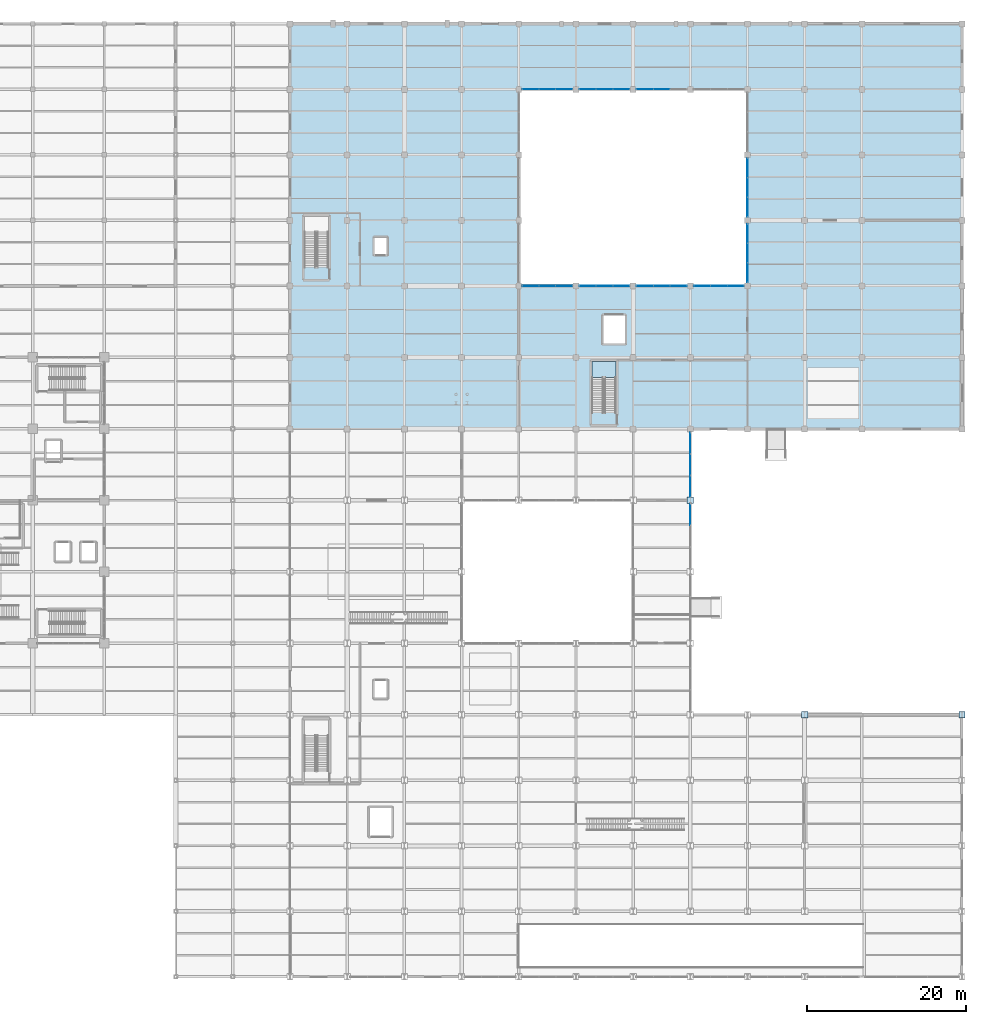
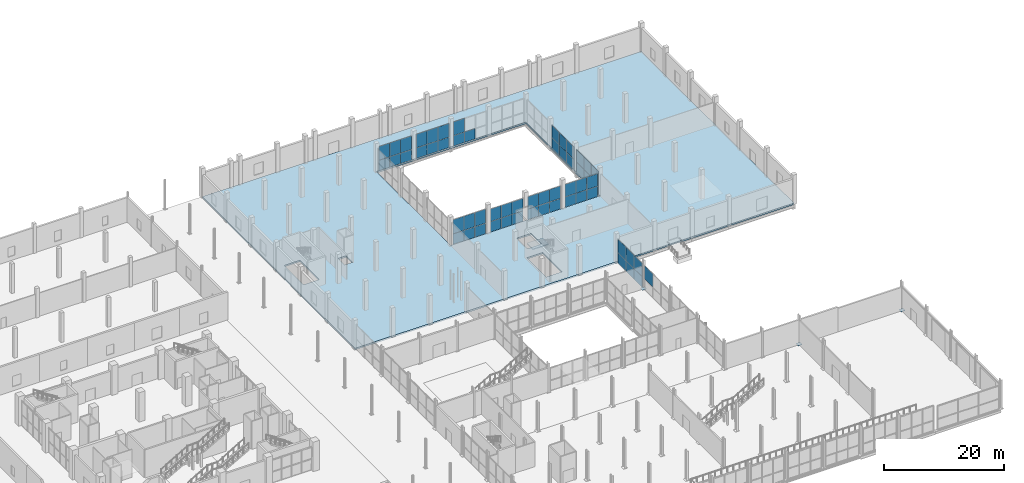
# One storey, part 121 of 144: 61 plates, 2 slabs, 12 elements without a shape of their own.
"""IFC4 building model written with IfcOpenShell, lengths in metres."""

from ifc_helpers import new_model, si_unit, direction, frame, origin, origin_2d, place, context, subcontext, project, spatial, polyline, rectangle, outline, extrude, material, layer, layer_set, type_object, element, aggregate, save


model = new_model("IFC4")

# Units and contexts
model_context = context("Model", 3, precision=1e-05, world=origin(), true_north=direction((0.0, 1.0)))
body_context = subcontext(model_context, "Body", "Model", "MODEL_VIEW")
ifc_project = project(units=[si_unit("LENGTHUNIT", "METRE"), si_unit("AREAUNIT", "SQUARE_METRE"), si_unit("VOLUMEUNIT", "CUBIC_METRE"), si_unit("PLANEANGLEUNIT", "RADIAN"), si_unit("MASSUNIT", "GRAM", prefix="KILO")], contexts=[model_context])

# Site, building, storey
site_placement = place(None, origin())
site = spatial("IfcSite", under=ifc_project, at=site_placement, CompositionType="ELEMENT")
building_placement = place(site_placement, origin())
building = spatial("IfcBuilding", under=site, at=building_placement, Name="Sundgate Opera House", CompositionType="ELEMENT")
storey_placement = place(building_placement, origin())
storey = spatial("IfcBuildingStorey", under=building, at=storey_placement, Name="L00", CompositionType="ELEMENT", Elevation=0.0)

# Curtain wall, plates
ifc_material_1 = material(Name="Anodized aluminium and low-iron glass", Category="aluminium")
ifc_layer_1 = layer(ifc_material_1, 0.159912109375)
ifc_layer_set_1 = layer_set([ifc_layer_1], Name="Anodized aluminium and low-iron glass")
curtain_wall_type = type_object("IfcCurtainWallType", Name="CW-STUDIO-DARK", PredefinedType="NOTDEFINED", material=ifc_layer_set_1)
curtain_wall_1_placement = place(storey_placement, origin())
curtain_wall_1 = element("IfcCurtainWall", 1, at=curtain_wall_1_placement, inside=storey, type_object=curtain_wall_type, Name="L00 Curtain Wall CW080", PredefinedType="NOTDEFINED")
ifc_material_2 = material(Name="Low-iron triple acoustic glazing", Category="glass")
ifc_layer_2 = layer(ifc_material_2, 0.035888671875)
ifc_layer_set_2 = layer_set([ifc_layer_2], Name="Low-iron triple acoustic glazing")
plate_type_1 = type_object("IfcPlateType", Name="CWP-CLEAR-36", PredefinedType="CURTAIN_PANEL", material=ifc_layer_set_2)
plate_1_placement = place(storey_placement, frame((125.699951171875, 87.0, 0.02001953125), z_axis=(0.0, 0.0, 1.0), x_axis=(1.0, 0.0, 0.0)))
plate_1 = element("IfcPlate", 2, at=plate_1_placement, type_object=plate_type_1, Name="CW080 Panel 1", PredefinedType="CURTAIN_PANEL", context=body_context, shape_type="SweptSolid", body=[
    extrude(rectangle(XDim=2.06005859375, YDim=0.035888671875, at=origin_2d()), origin(), (0.0, 0.0, 1.0), 2.110107421875),
])
plate_2_placement = place(storey_placement, frame((125.699951171875, 87.0, 2.169921875), z_axis=(0.0, 0.0, 1.0), x_axis=(1.0, 0.0, 0.0)))
plate_2 = element("IfcPlate", 3, at=plate_2_placement, type_object=plate_type_1, Name="CW080 Panel 2", PredefinedType="CURTAIN_PANEL", context=body_context, shape_type="SweptSolid", body=[
    extrude(rectangle(XDim=2.06005859375, YDim=0.035888671875, at=origin_2d()), origin(), (0.0, 0.0, 1.0), 2.875),
])
plate_3_placement = place(storey_placement, frame((127.800048828125, 87.0, 0.02001953125), z_axis=(0.0, 0.0, 1.0), x_axis=(1.0, 0.0, 0.0)))
plate_3 = element("IfcPlate", 4, at=plate_3_placement, type_object=plate_type_1, Name="CW080 Panel 3", PredefinedType="CURTAIN_PANEL", context=body_context, shape_type="SweptSolid", body=[
    extrude(rectangle(XDim=2.06005859375, YDim=0.035888671875, at=origin_2d()), origin(), (0.0, 0.0, 1.0), 2.110107421875),
])
plate_4_placement = place(storey_placement, frame((127.800048828125, 87.0, 2.169921875), z_axis=(0.0, 0.0, 1.0), x_axis=(1.0, 0.0, 0.0)))
plate_4 = element("IfcPlate", 5, at=plate_4_placement, type_object=plate_type_1, Name="CW080 Panel 4", PredefinedType="CURTAIN_PANEL", context=body_context, shape_type="SweptSolid", body=[
    extrude(rectangle(XDim=2.06005859375, YDim=0.035888671875, at=origin_2d()), origin(), (0.0, 0.0, 1.0), 2.875),
])
plate_5_placement = place(storey_placement, frame((129.89990234375, 87.0, 0.02001953125), z_axis=(0.0, 0.0, 1.0), x_axis=(1.0, 0.0, 0.0)))
plate_5 = element("IfcPlate", 6, at=plate_5_placement, type_object=plate_type_1, Name="CW080 Panel 5", PredefinedType="CURTAIN_PANEL", context=body_context, shape_type="SweptSolid", body=[
    extrude(rectangle(XDim=2.06005859375, YDim=0.035888671875, at=origin_2d()), origin(), (0.0, 0.0, 1.0), 2.110107421875),
])
plate_6_placement = place(storey_placement, frame((129.89990234375, 87.0, 2.169921875), z_axis=(0.0, 0.0, 1.0), x_axis=(1.0, 0.0, 0.0)))
plate_6 = element("IfcPlate", 7, at=plate_6_placement, type_object=plate_type_1, Name="CW080 Panel 6", PredefinedType="CURTAIN_PANEL", context=body_context, shape_type="SweptSolid", body=[
    extrude(rectangle(XDim=2.06005859375, YDim=0.035888671875, at=origin_2d()), origin(), (0.0, 0.0, 1.0), 2.875),
])
aggregate(curtain_wall_1, [plate_1, plate_2, plate_3, plate_4, plate_5, plate_6])

curtain_wall_2_placement = place(storey_placement, origin())
curtain_wall_2 = element("IfcCurtainWall", 8, at=curtain_wall_2_placement, inside=storey, type_object=curtain_wall_type, Name="L00 Curtain Wall CW081", PredefinedType="NOTDEFINED")
plate_7_placement = place(storey_placement, frame((129.89990234375, 111.75, 0.02001953125), z_axis=(0.0, 0.0, 1.0), x_axis=(-1.0, 0.0, 0.0)))
plate_7 = element("IfcPlate", 9, at=plate_7_placement, type_object=plate_type_1, Name="CW081 Panel 1", PredefinedType="CURTAIN_PANEL", context=body_context, shape_type="SweptSolid", body=[
    extrude(rectangle(XDim=2.06005859375, YDim=0.035888671875, at=origin_2d()), origin(), (0.0, 0.0, 1.0), 2.110107421875),
])
plate_8_placement = place(storey_placement, frame((129.89990234375, 111.75, 2.170166015625), z_axis=(0.0, 0.0, 1.0), x_axis=(-1.0, 0.0, 0.0)))
plate_8 = element("IfcPlate", 10, at=plate_8_placement, type_object=plate_type_1, Name="CW081 Panel 2", PredefinedType="CURTAIN_PANEL", context=body_context, shape_type="SweptSolid", body=[
    extrude(rectangle(XDim=2.06005859375, YDim=0.035888671875, at=origin_2d()), origin(), (0.0, 0.0, 1.0), 2.77490234375),
])
plate_9_placement = place(storey_placement, frame((127.800048828125, 111.75, 0.02001953125), z_axis=(0.0, 0.0, 1.0), x_axis=(-1.0, 0.0, 0.0)))
plate_9 = element("IfcPlate", 11, at=plate_9_placement, type_object=plate_type_1, Name="CW081 Panel 3", PredefinedType="CURTAIN_PANEL", context=body_context, shape_type="SweptSolid", body=[
    extrude(rectangle(XDim=2.06005859375, YDim=0.035888671875, at=origin_2d()), origin(), (0.0, 0.0, 1.0), 2.110107421875),
])
plate_10_placement = place(storey_placement, frame((127.800048828125, 111.75, 2.170166015625), z_axis=(0.0, 0.0, 1.0), x_axis=(-1.0, 0.0, 0.0)))
plate_10 = element("IfcPlate", 12, at=plate_10_placement, type_object=plate_type_1, Name="CW081 Panel 4", PredefinedType="CURTAIN_PANEL", context=body_context, shape_type="SweptSolid", body=[
    extrude(rectangle(XDim=2.06005859375, YDim=0.035888671875, at=origin_2d()), origin(), (0.0, 0.0, 1.0), 2.77490234375),
])
plate_11_placement = place(storey_placement, frame((125.699951171875, 111.75, 0.02001953125), z_axis=(0.0, 0.0, 1.0), x_axis=(-1.0, 0.0, 0.0)))
plate_11 = element("IfcPlate", 13, at=plate_11_placement, type_object=plate_type_1, Name="CW081 Panel 5", PredefinedType="CURTAIN_PANEL", context=body_context, shape_type="SweptSolid", body=[
    extrude(rectangle(XDim=2.06005859375, YDim=0.035888671875, at=origin_2d()), origin(), (0.0, 0.0, 1.0), 2.110107421875),
])
plate_12_placement = place(storey_placement, frame((125.699951171875, 111.75, 2.170166015625), z_axis=(0.0, 0.0, 1.0), x_axis=(-1.0, 0.0, 0.0)))
plate_12 = element("IfcPlate", 14, at=plate_12_placement, type_object=plate_type_1, Name="CW081 Panel 6", PredefinedType="CURTAIN_PANEL", context=body_context, shape_type="SweptSolid", body=[
    extrude(rectangle(XDim=2.06005859375, YDim=0.035888671875, at=origin_2d()), origin(), (0.0, 0.0, 1.0), 2.77490234375),
])
aggregate(curtain_wall_2, [plate_7, plate_8, plate_9, plate_10, plate_11, plate_12])

curtain_wall_3_placement = place(storey_placement, origin())
curtain_wall_3 = element("IfcCurtainWall", 15, at=curtain_wall_3_placement, inside=storey, type_object=curtain_wall_type, Name="L00 Curtain Wall CW082", PredefinedType="NOTDEFINED")
plate_13_placement = place(storey_placement, frame((132.89990234375, 87.0, 0.02001953125), z_axis=(0.0, 0.0, 1.0), x_axis=(1.0, 0.0, 0.0)))
plate_13 = element("IfcPlate", 16, at=plate_13_placement, type_object=plate_type_1, Name="CW082 Panel 1", PredefinedType="CURTAIN_PANEL", context=body_context, shape_type="SweptSolid", body=[
    extrude(rectangle(XDim=2.06005859375, YDim=0.035888671875, at=origin_2d()), origin(), (0.0, 0.0, 1.0), 2.110107421875),
])
plate_14_placement = place(storey_placement, frame((132.89990234375, 87.0, 2.170166015625), z_axis=(0.0, 0.0, 1.0), x_axis=(1.0, 0.0, 0.0)))
plate_14 = element("IfcPlate", 17, at=plate_14_placement, type_object=plate_type_1, Name="CW082 Panel 2", PredefinedType="CURTAIN_PANEL", context=body_context, shape_type="SweptSolid", body=[
    extrude(rectangle(XDim=2.06005859375, YDim=0.035888671875, at=origin_2d()), origin(), (0.0, 0.0, 1.0), 2.52490234375),
])
plate_15_placement = place(storey_placement, frame((135.0, 87.0, 0.02001953125), z_axis=(0.0, 0.0, 1.0), x_axis=(1.0, 0.0, 0.0)))
plate_15 = element("IfcPlate", 18, at=plate_15_placement, type_object=plate_type_1, Name="CW082 Panel 3", PredefinedType="CURTAIN_PANEL", context=body_context, shape_type="SweptSolid", body=[
    extrude(rectangle(XDim=2.06005859375, YDim=0.035888671875, at=origin_2d()), origin(), (0.0, 0.0, 1.0), 2.110107421875),
])
plate_16_placement = place(storey_placement, frame((135.0, 87.0, 2.170166015625), z_axis=(0.0, 0.0, 1.0), x_axis=(1.0, 0.0, 0.0)))
plate_16 = element("IfcPlate", 19, at=plate_16_placement, type_object=plate_type_1, Name="CW082 Panel 4", PredefinedType="CURTAIN_PANEL", context=body_context, shape_type="SweptSolid", body=[
    extrude(rectangle(XDim=2.06005859375, YDim=0.035888671875, at=origin_2d()), origin(), (0.0, 0.0, 1.0), 2.52490234375),
])
plate_17_placement = place(storey_placement, frame((137.10009765625, 87.0, 0.02001953125), z_axis=(0.0, 0.0, 1.0), x_axis=(1.0, 0.0, 0.0)))
plate_17 = element("IfcPlate", 20, at=plate_17_placement, type_object=plate_type_1, Name="CW082 Panel 5", PredefinedType="CURTAIN_PANEL", context=body_context, shape_type="SweptSolid", body=[
    extrude(rectangle(XDim=2.06005859375, YDim=0.035888671875, at=origin_2d()), origin(), (0.0, 0.0, 1.0), 2.110107421875),
])
plate_18_placement = place(storey_placement, frame((137.10009765625, 87.0, 2.170166015625), z_axis=(0.0, 0.0, 1.0), x_axis=(1.0, 0.0, 0.0)))
plate_18 = element("IfcPlate", 21, at=plate_18_placement, type_object=plate_type_1, Name="CW082 Panel 6", PredefinedType="CURTAIN_PANEL", context=body_context, shape_type="SweptSolid", body=[
    extrude(rectangle(XDim=2.06005859375, YDim=0.035888671875, at=origin_2d()), origin(), (0.0, 0.0, 1.0), 2.52490234375),
])
aggregate(curtain_wall_3, [plate_13, plate_14, plate_15, plate_16, plate_17, plate_18])

curtain_wall_4_placement = place(storey_placement, origin())
curtain_wall_4 = element("IfcCurtainWall", 22, at=curtain_wall_4_placement, inside=storey, type_object=curtain_wall_type, Name="L00 Curtain Wall CW083", PredefinedType="NOTDEFINED")
plate_19_placement = place(storey_placement, frame((137.10009765625, 111.75, 0.02001953125), z_axis=(0.0, 0.0, 1.0), x_axis=(-1.0, 0.0, 0.0)))
plate_19 = element("IfcPlate", 23, at=plate_19_placement, type_object=plate_type_1, Name="CW083 Panel 1", PredefinedType="CURTAIN_PANEL", context=body_context, shape_type="SweptSolid", body=[
    extrude(rectangle(XDim=2.06005859375, YDim=0.035888671875, at=origin_2d()), origin(), (0.0, 0.0, 1.0), 2.110107421875),
])
plate_20_placement = place(storey_placement, frame((137.10009765625, 111.75, 2.170166015625), z_axis=(0.0, 0.0, 1.0), x_axis=(-1.0, 0.0, 0.0)))
plate_20 = element("IfcPlate", 24, at=plate_20_placement, type_object=plate_type_1, Name="CW083 Panel 2", PredefinedType="CURTAIN_PANEL", context=body_context, shape_type="SweptSolid", body=[
    extrude(rectangle(XDim=2.06005859375, YDim=0.035888671875, at=origin_2d()), origin(), (0.0, 0.0, 1.0), 2.77490234375),
])
plate_21_placement = place(storey_placement, frame((135.0, 111.75, 0.02001953125), z_axis=(0.0, 0.0, 1.0), x_axis=(-1.0, 0.0, 0.0)))
plate_21 = element("IfcPlate", 25, at=plate_21_placement, type_object=plate_type_1, Name="CW083 Panel 3", PredefinedType="CURTAIN_PANEL", context=body_context, shape_type="SweptSolid", body=[
    extrude(rectangle(XDim=2.06005859375, YDim=0.035888671875, at=origin_2d()), origin(), (0.0, 0.0, 1.0), 2.110107421875),
])
plate_22_placement = place(storey_placement, frame((135.0, 111.75, 2.170166015625), z_axis=(0.0, 0.0, 1.0), x_axis=(-1.0, 0.0, 0.0)))
plate_22 = element("IfcPlate", 26, at=plate_22_placement, type_object=plate_type_1, Name="CW083 Panel 4", PredefinedType="CURTAIN_PANEL", context=body_context, shape_type="SweptSolid", body=[
    extrude(rectangle(XDim=2.06005859375, YDim=0.035888671875, at=origin_2d()), origin(), (0.0, 0.0, 1.0), 2.77490234375),
])
plate_23_placement = place(storey_placement, frame((132.89990234375, 111.75, 0.02001953125), z_axis=(0.0, 0.0, 1.0), x_axis=(-1.0, 0.0, 0.0)))
plate_23 = element("IfcPlate", 27, at=plate_23_placement, type_object=plate_type_1, Name="CW083 Panel 5", PredefinedType="CURTAIN_PANEL", context=body_context, shape_type="SweptSolid", body=[
    extrude(rectangle(XDim=2.06005859375, YDim=0.035888671875, at=origin_2d()), origin(), (0.0, 0.0, 1.0), 2.110107421875),
])
plate_24_placement = place(storey_placement, frame((132.89990234375, 111.75, 2.170166015625), z_axis=(0.0, 0.0, 1.0), x_axis=(-1.0, 0.0, 0.0)))
plate_24 = element("IfcPlate", 28, at=plate_24_placement, type_object=plate_type_1, Name="CW083 Panel 6", PredefinedType="CURTAIN_PANEL", context=body_context, shape_type="SweptSolid", body=[
    extrude(rectangle(XDim=2.06005859375, YDim=0.035888671875, at=origin_2d()), origin(), (0.0, 0.0, 1.0), 2.77490234375),
])
aggregate(curtain_wall_4, [plate_19, plate_20, plate_21, plate_22, plate_23, plate_24])

curtain_wall_5_placement = place(storey_placement, origin())
curtain_wall_5 = element("IfcCurtainWall", 29, at=curtain_wall_5_placement, inside=storey, type_object=curtain_wall_type, Name="L00 Curtain Wall CW084", PredefinedType="NOTDEFINED")
plate_25_placement = place(storey_placement, frame((140.10009765625, 87.0, 0.02001953125), z_axis=(0.0, 0.0, 1.0), x_axis=(1.0, 0.0, 0.0)))
plate_25 = element("IfcPlate", 30, at=plate_25_placement, type_object=plate_type_1, Name="CW084 Panel 1", PredefinedType="CURTAIN_PANEL", context=body_context, shape_type="SweptSolid", body=[
    extrude(rectangle(XDim=2.06005859375, YDim=0.035888671875, at=origin_2d()), origin(), (0.0, 0.0, 1.0), 2.110107421875),
])
plate_26_placement = place(storey_placement, frame((140.10009765625, 87.0, 2.170166015625), z_axis=(0.0, 0.0, 1.0), x_axis=(1.0, 0.0, 0.0)))
plate_26 = element("IfcPlate", 31, at=plate_26_placement, type_object=plate_type_1, Name="CW084 Panel 2", PredefinedType="CURTAIN_PANEL", context=body_context, shape_type="SweptSolid", body=[
    extrude(rectangle(XDim=2.06005859375, YDim=0.035888671875, at=origin_2d()), origin(), (0.0, 0.0, 1.0), 2.52490234375),
])
plate_27_placement = place(storey_placement, frame((142.199951171875, 87.0, 0.02001953125), z_axis=(0.0, 0.0, 1.0), x_axis=(1.0, 0.0, 0.0)))
plate_27 = element("IfcPlate", 32, at=plate_27_placement, type_object=plate_type_1, Name="CW084 Panel 3", PredefinedType="CURTAIN_PANEL", context=body_context, shape_type="SweptSolid", body=[
    extrude(rectangle(XDim=2.06005859375, YDim=0.035888671875, at=origin_2d()), origin(), (0.0, 0.0, 1.0), 2.110107421875),
])
plate_28_placement = place(storey_placement, frame((142.199951171875, 87.0, 2.170166015625), z_axis=(0.0, 0.0, 1.0), x_axis=(1.0, 0.0, 0.0)))
plate_28 = element("IfcPlate", 33, at=plate_28_placement, type_object=plate_type_1, Name="CW084 Panel 4", PredefinedType="CURTAIN_PANEL", context=body_context, shape_type="SweptSolid", body=[
    extrude(rectangle(XDim=2.06005859375, YDim=0.035888671875, at=origin_2d()), origin(), (0.0, 0.0, 1.0), 2.52490234375),
])
plate_29_placement = place(storey_placement, frame((144.300048828125, 87.0, 0.02001953125), z_axis=(0.0, 0.0, 1.0), x_axis=(1.0, 0.0, 0.0)))
plate_29 = element("IfcPlate", 34, at=plate_29_placement, type_object=plate_type_1, Name="CW084 Panel 5", PredefinedType="CURTAIN_PANEL", context=body_context, shape_type="SweptSolid", body=[
    extrude(rectangle(XDim=2.06005859375, YDim=0.035888671875, at=origin_2d()), origin(), (0.0, 0.0, 1.0), 2.110107421875),
])
plate_30_placement = place(storey_placement, frame((144.300048828125, 87.0, 2.170166015625), z_axis=(0.0, 0.0, 1.0), x_axis=(1.0, 0.0, 0.0)))
plate_30 = element("IfcPlate", 35, at=plate_30_placement, type_object=plate_type_1, Name="CW084 Panel 6", PredefinedType="CURTAIN_PANEL", context=body_context, shape_type="SweptSolid", body=[
    extrude(rectangle(XDim=2.06005859375, YDim=0.035888671875, at=origin_2d()), origin(), (0.0, 0.0, 1.0), 2.52490234375),
])
aggregate(curtain_wall_5, [plate_25, plate_26, plate_27, plate_28, plate_29, plate_30])

curtain_wall_6_placement = place(storey_placement, origin())
curtain_wall_6 = element("IfcCurtainWall", 36, at=curtain_wall_6_placement, inside=storey, type_object=curtain_wall_type, Name="L00 Curtain Wall CW085", PredefinedType="NOTDEFINED")
plate_31_placement = place(storey_placement, frame((142.199951171875, 111.75, 0.02001953125), z_axis=(0.0, 0.0, 1.0), x_axis=(-1.0, 0.0, 0.0)))
plate_31 = element("IfcPlate", 37, at=plate_31_placement, type_object=plate_type_1, Name="CW085 Panel 3", PredefinedType="CURTAIN_PANEL", context=body_context, shape_type="SweptSolid", body=[
    extrude(rectangle(XDim=2.06005859375, YDim=0.035888671875, at=origin_2d()), origin(), (0.0, 0.0, 1.0), 2.110107421875),
])
plate_32_placement = place(storey_placement, frame((140.10009765625, 111.75, 0.02001953125), z_axis=(0.0, 0.0, 1.0), x_axis=(-1.0, 0.0, 0.0)))
plate_32 = element("IfcPlate", 38, at=plate_32_placement, type_object=plate_type_1, Name="CW085 Panel 5", PredefinedType="CURTAIN_PANEL", context=body_context, shape_type="SweptSolid", body=[
    extrude(rectangle(XDim=2.06005859375, YDim=0.035888671875, at=origin_2d()), origin(), (0.0, 0.0, 1.0), 2.110107421875),
])
plate_33_placement = place(storey_placement, frame((140.10009765625, 111.75, 2.170166015625), z_axis=(0.0, 0.0, 1.0), x_axis=(-1.0, 0.0, 0.0)))
plate_33 = element("IfcPlate", 39, at=plate_33_placement, type_object=plate_type_1, Name="CW085 Panel 6", PredefinedType="CURTAIN_PANEL", context=body_context, shape_type="SweptSolid", body=[
    extrude(rectangle(XDim=2.06005859375, YDim=0.035888671875, at=origin_2d()), origin(), (0.0, 0.0, 1.0), 2.77490234375),
])
aggregate(curtain_wall_6, [plate_31, plate_32, plate_33])

curtain_wall_7_placement = place(storey_placement, origin())
curtain_wall_7 = element("IfcCurtainWall", 40, at=curtain_wall_7_placement, inside=storey, type_object=curtain_wall_type, Name="L00 Curtain Wall CW086", PredefinedType="NOTDEFINED")
plate_34_placement = place(storey_placement, frame((147.300048828125, 87.0, 0.02001953125), z_axis=(0.0, 0.0, 1.0), x_axis=(1.0, 0.0, 0.0)))
plate_34 = element("IfcPlate", 41, at=plate_34_placement, type_object=plate_type_1, Name="CW086 Panel 1", PredefinedType="CURTAIN_PANEL", context=body_context, shape_type="SweptSolid", body=[
    extrude(rectangle(XDim=2.06005859375, YDim=0.035888671875, at=origin_2d()), origin(), (0.0, 0.0, 1.0), 2.110107421875),
])
plate_35_placement = place(storey_placement, frame((147.300048828125, 87.0, 2.170166015625), z_axis=(0.0, 0.0, 1.0), x_axis=(1.0, 0.0, 0.0)))
plate_35 = element("IfcPlate", 42, at=plate_35_placement, type_object=plate_type_1, Name="CW086 Panel 2", PredefinedType="CURTAIN_PANEL", context=body_context, shape_type="SweptSolid", body=[
    extrude(rectangle(XDim=2.06005859375, YDim=0.035888671875, at=origin_2d()), origin(), (0.0, 0.0, 1.0), 2.52490234375),
])
plate_36_placement = place(storey_placement, frame((149.39990234375, 87.0, 0.02001953125), z_axis=(0.0, 0.0, 1.0), x_axis=(1.0, 0.0, 0.0)))
plate_36 = element("IfcPlate", 43, at=plate_36_placement, type_object=plate_type_1, Name="CW086 Panel 3", PredefinedType="CURTAIN_PANEL", context=body_context, shape_type="SweptSolid", body=[
    extrude(rectangle(XDim=2.06005859375, YDim=0.035888671875, at=origin_2d()), origin(), (0.0, 0.0, 1.0), 2.110107421875),
])
plate_37_placement = place(storey_placement, frame((149.39990234375, 87.0, 2.170166015625), z_axis=(0.0, 0.0, 1.0), x_axis=(1.0, 0.0, 0.0)))
plate_37 = element("IfcPlate", 44, at=plate_37_placement, type_object=plate_type_1, Name="CW086 Panel 4", PredefinedType="CURTAIN_PANEL", context=body_context, shape_type="SweptSolid", body=[
    extrude(rectangle(XDim=2.06005859375, YDim=0.035888671875, at=origin_2d()), origin(), (0.0, 0.0, 1.0), 2.52490234375),
])
plate_38_placement = place(storey_placement, frame((151.5, 87.0, 0.02001953125), z_axis=(0.0, 0.0, 1.0), x_axis=(1.0, 0.0, 0.0)))
plate_38 = element("IfcPlate", 45, at=plate_38_placement, type_object=plate_type_1, Name="CW086 Panel 5", PredefinedType="CURTAIN_PANEL", context=body_context, shape_type="SweptSolid", body=[
    extrude(rectangle(XDim=2.06005859375, YDim=0.035888671875, at=origin_2d()), origin(), (0.0, 0.0, 1.0), 2.110107421875),
])
plate_39_placement = place(storey_placement, frame((151.5, 87.0, 2.170166015625), z_axis=(0.0, 0.0, 1.0), x_axis=(1.0, 0.0, 0.0)))
plate_39 = element("IfcPlate", 46, at=plate_39_placement, type_object=plate_type_1, Name="CW086 Panel 6", PredefinedType="CURTAIN_PANEL", context=body_context, shape_type="SweptSolid", body=[
    extrude(rectangle(XDim=2.06005859375, YDim=0.035888671875, at=origin_2d()), origin(), (0.0, 0.0, 1.0), 2.52490234375),
])
aggregate(curtain_wall_7, [plate_34, plate_35, plate_36, plate_37, plate_38, plate_39])

curtain_wall_8_placement = place(storey_placement, origin())
curtain_wall_8 = element("IfcCurtainWall", 47, at=curtain_wall_8_placement, inside=storey, type_object=curtain_wall_type, Name="L00 Curtain Wall CW089", PredefinedType="NOTDEFINED")
plate_40_placement = place(storey_placement, frame((153.0, 93.574951171875, 0.02001953125), z_axis=(0.0, 0.0, 1.0), x_axis=(0.0, -1.0, 0.0)))
plate_40 = element("IfcPlate", 48, at=plate_40_placement, type_object=plate_type_1, Name="CW089 Panel 1", PredefinedType="CURTAIN_PANEL", context=body_context, shape_type="SweptSolid", body=[
    extrude(rectangle(XDim=2.409912109375, YDim=0.035888671875, at=origin_2d()), origin(), (0.0, 0.0, 1.0), 2.110107421875),
])
plate_41_placement = place(storey_placement, frame((153.0, 93.574951171875, 2.170166015625), z_axis=(0.0, 0.0, 1.0), x_axis=(0.0, -1.0, 0.0)))
plate_41 = element("IfcPlate", 49, at=plate_41_placement, type_object=plate_type_1, Name="CW089 Panel 2", PredefinedType="CURTAIN_PANEL", context=body_context, shape_type="SweptSolid", body=[
    extrude(rectangle(XDim=2.409912109375, YDim=0.035888671875, at=origin_2d()), origin(), (0.0, 0.0, 1.0), 2.52490234375),
])
plate_42_placement = place(storey_placement, frame((153.0, 91.125, 0.02001953125), z_axis=(0.0, 0.0, 1.0), x_axis=(0.0, -1.0, 0.0)))
plate_42 = element("IfcPlate", 50, at=plate_42_placement, type_object=plate_type_1, Name="CW089 Panel 3", PredefinedType="CURTAIN_PANEL", context=body_context, shape_type="SweptSolid", body=[
    extrude(rectangle(XDim=2.409912109375, YDim=0.035888671875, at=origin_2d()), origin(), (0.0, 0.0, 1.0), 2.110107421875),
])
plate_43_placement = place(storey_placement, frame((153.0, 91.125, 2.170166015625), z_axis=(0.0, 0.0, 1.0), x_axis=(0.0, -1.0, 0.0)))
plate_43 = element("IfcPlate", 51, at=plate_43_placement, type_object=plate_type_1, Name="CW089 Panel 4", PredefinedType="CURTAIN_PANEL", context=body_context, shape_type="SweptSolid", body=[
    extrude(rectangle(XDim=2.409912109375, YDim=0.035888671875, at=origin_2d()), origin(), (0.0, 0.0, 1.0), 2.52490234375),
])
plate_44_placement = place(storey_placement, frame((153.0, 88.675048828125, 0.02001953125), z_axis=(0.0, 0.0, 1.0), x_axis=(0.0, -1.0, 0.0)))
plate_44 = element("IfcPlate", 52, at=plate_44_placement, type_object=plate_type_1, Name="CW089 Panel 5", PredefinedType="CURTAIN_PANEL", context=body_context, shape_type="SweptSolid", body=[
    extrude(rectangle(XDim=2.409912109375, YDim=0.035888671875, at=origin_2d()), origin(), (0.0, 0.0, 1.0), 2.110107421875),
])
plate_45_placement = place(storey_placement, frame((153.0, 88.675048828125, 2.170166015625), z_axis=(0.0, 0.0, 1.0), x_axis=(0.0, -1.0, 0.0)))
plate_45 = element("IfcPlate", 53, at=plate_45_placement, type_object=plate_type_1, Name="CW089 Panel 6", PredefinedType="CURTAIN_PANEL", context=body_context, shape_type="SweptSolid", body=[
    extrude(rectangle(XDim=2.409912109375, YDim=0.035888671875, at=origin_2d()), origin(), (0.0, 0.0, 1.0), 2.52490234375),
])
aggregate(curtain_wall_8, [plate_40, plate_41, plate_42, plate_43, plate_44, plate_45])

curtain_wall_9_placement = place(storey_placement, origin())
curtain_wall_9 = element("IfcCurtainWall", 54, at=curtain_wall_9_placement, inside=storey, type_object=curtain_wall_type, Name="L00 Curtain Wall CW091", PredefinedType="NOTDEFINED")
plate_46_placement = place(storey_placement, frame((153.0, 101.824951171875, 0.02001953125), z_axis=(0.0, 0.0, 1.0), x_axis=(0.0, -1.0, 0.0)))
plate_46 = element("IfcPlate", 55, at=plate_46_placement, type_object=plate_type_1, Name="CW091 Panel 1", PredefinedType="CURTAIN_PANEL", context=body_context, shape_type="SweptSolid", body=[
    extrude(rectangle(XDim=2.409912109375, YDim=0.035888671875, at=origin_2d()), origin(), (0.0, 0.0, 1.0), 2.110107421875),
])
plate_47_placement = place(storey_placement, frame((153.0, 101.824951171875, 2.170166015625), z_axis=(0.0, 0.0, 1.0), x_axis=(0.0, -1.0, 0.0)))
plate_47 = element("IfcPlate", 56, at=plate_47_placement, type_object=plate_type_1, Name="CW091 Panel 2", PredefinedType="CURTAIN_PANEL", context=body_context, shape_type="SweptSolid", body=[
    extrude(rectangle(XDim=2.409912109375, YDim=0.035888671875, at=origin_2d()), origin(), (0.0, 0.0, 1.0), 2.52490234375),
])
plate_48_placement = place(storey_placement, frame((153.0, 99.375, 0.02001953125), z_axis=(0.0, 0.0, 1.0), x_axis=(0.0, -1.0, 0.0)))
plate_48 = element("IfcPlate", 57, at=plate_48_placement, type_object=plate_type_1, Name="CW091 Panel 3", PredefinedType="CURTAIN_PANEL", context=body_context, shape_type="SweptSolid", body=[
    extrude(rectangle(XDim=2.409912109375, YDim=0.035888671875, at=origin_2d()), origin(), (0.0, 0.0, 1.0), 2.110107421875),
])
plate_49_placement = place(storey_placement, frame((153.0, 99.375, 2.170166015625), z_axis=(0.0, 0.0, 1.0), x_axis=(0.0, -1.0, 0.0)))
plate_49 = element("IfcPlate", 58, at=plate_49_placement, type_object=plate_type_1, Name="CW091 Panel 4", PredefinedType="CURTAIN_PANEL", context=body_context, shape_type="SweptSolid", body=[
    extrude(rectangle(XDim=2.409912109375, YDim=0.035888671875, at=origin_2d()), origin(), (0.0, 0.0, 1.0), 2.52490234375),
])
plate_50_placement = place(storey_placement, frame((153.0, 96.925048828125, 0.02001953125), z_axis=(0.0, 0.0, 1.0), x_axis=(0.0, -1.0, 0.0)))
plate_50 = element("IfcPlate", 59, at=plate_50_placement, type_object=plate_type_1, Name="CW091 Panel 5", PredefinedType="CURTAIN_PANEL", context=body_context, shape_type="SweptSolid", body=[
    extrude(rectangle(XDim=2.409912109375, YDim=0.035888671875, at=origin_2d()), origin(), (0.0, 0.0, 1.0), 2.110107421875),
])
plate_51_placement = place(storey_placement, frame((153.0, 96.925048828125, 2.170166015625), z_axis=(0.0, 0.0, 1.0), x_axis=(0.0, -1.0, 0.0)))
plate_51 = element("IfcPlate", 60, at=plate_51_placement, type_object=plate_type_1, Name="CW091 Panel 6", PredefinedType="CURTAIN_PANEL", context=body_context, shape_type="SweptSolid", body=[
    extrude(rectangle(XDim=2.409912109375, YDim=0.035888671875, at=origin_2d()), origin(), (0.0, 0.0, 1.0), 2.52490234375),
])
aggregate(curtain_wall_9, [plate_46, plate_47, plate_48, plate_49, plate_50, plate_51])

# Curtain wall, plate
curtain_wall_10_placement = place(storey_placement, origin())
curtain_wall_10 = element("IfcCurtainWall", 61, at=curtain_wall_10_placement, inside=storey, type_object=curtain_wall_type, Name="L00 Curtain Wall CW031", PredefinedType="NOTDEFINED")
ifc_material_3 = material(Name="Dark solar-control triple acoustic glazing", Category="glass")
ifc_layer_3 = layer(ifc_material_3, 0.031982421875)
ifc_layer_set_3 = layer_set([ifc_layer_3], Name="Dark solar-control triple acoustic glazing")
plate_type_2 = type_object("IfcPlateType", Name="CWP-DARK-32", PredefinedType="CURTAIN_PANEL", material=ifc_layer_set_3)
plate_52_placement = place(storey_placement, frame((145.800048828125, 58.2333984375, 2.169921875), z_axis=(0.0, 0.0, 1.0), x_axis=(0.0, 1.0, 0.0)))
plate_52 = element("IfcPlate", 62, at=plate_52_placement, type_object=plate_type_2, Name="CW031 Panel 6", PredefinedType="CURTAIN_PANEL", context=body_context, shape_type="SweptSolid", body=[
    extrude(rectangle(XDim=2.693359375, YDim=0.031982421875, at=origin_2d()), origin(), (0.0, 0.0, 1.0), 2.72509765625),
])
aggregate(curtain_wall_10, [plate_52])

# Curtain wall, plates
curtain_wall_11_placement = place(storey_placement, origin())
curtain_wall_11 = element("IfcCurtainWall", 63, at=curtain_wall_11_placement, inside=storey, type_object=curtain_wall_type, Name="L00 Curtain Wall CW033", PredefinedType="NOTDEFINED")
plate_53_placement = place(storey_placement, frame((145.800048828125, 61.75830078125, 0.02001953125), z_axis=(0.0, 0.0, 1.0), x_axis=(0.0, 1.0, 0.0)))
plate_53 = element("IfcPlate", 64, at=plate_53_placement, type_object=plate_type_2, Name="CW033 Panel 1", PredefinedType="CURTAIN_PANEL", context=body_context, shape_type="SweptSolid", body=[
    extrude(rectangle(XDim=2.6767578125, YDim=0.031982421875, at=origin_2d()), origin(), (0.0, 0.0, 1.0), 2.110107421875),
])
plate_54_placement = place(storey_placement, frame((145.800048828125, 61.75830078125, 2.169921875), z_axis=(0.0, 0.0, 1.0), x_axis=(0.0, 1.0, 0.0)))
plate_54 = element("IfcPlate", 65, at=plate_54_placement, type_object=plate_type_2, Name="CW033 Panel 2", PredefinedType="CURTAIN_PANEL", context=body_context, shape_type="SweptSolid", body=[
    extrude(rectangle(XDim=2.6767578125, YDim=0.031982421875, at=origin_2d()), origin(), (0.0, 0.0, 1.0), 2.72509765625),
])
plate_55_placement = place(storey_placement, frame((145.800048828125, 64.47509765625, 0.02001953125), z_axis=(0.0, 0.0, 1.0), x_axis=(0.0, 1.0, 0.0)))
plate_55 = element("IfcPlate", 66, at=plate_55_placement, type_object=plate_type_2, Name="CW033 Panel 3", PredefinedType="CURTAIN_PANEL", context=body_context, shape_type="SweptSolid", body=[
    extrude(rectangle(XDim=2.6767578125, YDim=0.031982421875, at=origin_2d()), origin(), (0.0, 0.0, 1.0), 2.110107421875),
])
plate_56_placement = place(storey_placement, frame((145.800048828125, 64.47509765625, 2.169921875), z_axis=(0.0, 0.0, 1.0), x_axis=(0.0, 1.0, 0.0)))
plate_56 = element("IfcPlate", 67, at=plate_56_placement, type_object=plate_type_2, Name="CW033 Panel 4", PredefinedType="CURTAIN_PANEL", context=body_context, shape_type="SweptSolid", body=[
    extrude(rectangle(XDim=2.6767578125, YDim=0.031982421875, at=origin_2d()), origin(), (0.0, 0.0, 1.0), 2.72509765625),
])
plate_57_placement = place(storey_placement, frame((145.800048828125, 67.191650390625, 0.02001953125), z_axis=(0.0, 0.0, 1.0), x_axis=(0.0, 1.0, 0.0)))
plate_57 = element("IfcPlate", 68, at=plate_57_placement, type_object=plate_type_2, Name="CW033 Panel 5", PredefinedType="CURTAIN_PANEL", context=body_context, shape_type="SweptSolid", body=[
    extrude(rectangle(XDim=2.6767578125, YDim=0.031982421875, at=origin_2d()), origin(), (0.0, 0.0, 1.0), 2.110107421875),
])
plate_58_placement = place(storey_placement, frame((145.800048828125, 67.191650390625, 2.169921875), z_axis=(0.0, 0.0, 1.0), x_axis=(0.0, 1.0, 0.0)))
plate_58 = element("IfcPlate", 69, at=plate_58_placement, type_object=plate_type_2, Name="CW033 Panel 6", PredefinedType="CURTAIN_PANEL", context=body_context, shape_type="SweptSolid", body=[
    extrude(rectangle(XDim=2.6767578125, YDim=0.031982421875, at=origin_2d()), origin(), (0.0, 0.0, 1.0), 2.72509765625),
])
aggregate(curtain_wall_11, [plate_53, plate_54, plate_55, plate_56, plate_57, plate_58])

# Plates
ifc_material_4 = material(Name="Steel S355J2", Category="steel")
ifc_layer_4 = layer(ifc_material_4, 0.02587890625)
ifc_layer_set_4 = layer_set([ifc_layer_4], Name="Steel S355J2")
plate_type_3 = type_object("IfcPlateType", Name="PT-BAS-26", PredefinedType="USERDEFINED", material=ifc_layer_set_4)
plate_59_placement = place(storey_placement, frame((145.800048828125, 60.0, 0.0), z_axis=(0.0, 0.0, 1.0), x_axis=(1.0, 0.0, 0.0)))
element("IfcPlate", 70, at=plate_59_placement, inside=storey, type_object=plate_type_3, Name="L00 Base Plate PT0372", ObjectType="BASE PLATE", PredefinedType="USERDEFINED", context=body_context, shape_type="SweptSolid", body=[
    extrude(rectangle(XDim=0.7900390625, YDim=0.7900390625, at=origin_2d()), origin(), (0.0, 0.0, 1.0), 0.02587890625),
])
ifc_material_5 = material(Name="Steel S355J2", Category="steel")
ifc_layer_5 = layer(ifc_material_5, 0.033935546875)
ifc_layer_set_5 = layer_set([ifc_layer_5], Name="Steel S355J2")
plate_type_4 = type_object("IfcPlateType", Name="PT-BAS-34", PredefinedType="USERDEFINED", material=ifc_layer_set_5)
for number, where, z_axis, x_axis, name in (
    (71, (160.199951171875, 33.0, 0.0), (0.0, 0.0, 1.0), (1.0, 0.0, 0.0), "L00 Base Plate PT0397"),
    (72, (180.0, 33.0, 0.0), (0.0, 0.0, 1.0), (1.0, 0.0, 0.0), "L00 Base Plate PT0403"),
):
    element("IfcPlate", number, at=place(storey_placement, frame(where, z_axis=z_axis, x_axis=x_axis)), inside=storey, type_object=plate_type_4, Name=name, ObjectType="BASE PLATE", PredefinedType="USERDEFINED", context=body_context, shape_type="SweptSolid", body=[
        extrude(rectangle(XDim=0.7900390625, YDim=0.7900390625, at=origin_2d()), origin(), (0.0, 0.0, 1.0), 0.033935546875),
    ])

# Slab
ifc_material_6 = material(Name="Concrete C40/50", Category="concrete")
ifc_layer_6 = layer(ifc_material_6, 0.320068359375)
ifc_layer_set_6 = layer_set([ifc_layer_6], Name="Concrete C40/50")
slab_type_1 = type_object("IfcSlabType", Name="SL-FLR-320", PredefinedType="FLOOR", material=ifc_layer_set_6)
slab_1_placement = place(storey_placement, frame((0.0, 0.0, -0.320068359375)))
element("IfcSlab", 73, at=slab_1_placement, inside=storey, type_object=slab_type_1, Name="L00 Structural Floor Slab V4", PredefinedType="FLOOR", context=body_context, shape_type="SweptSolid", body=[
    extrude(outline(polyline([(95.39990234375, 69.0), (180.0, 69.0), (180.0, 120.0), (95.39990234375, 120.0), (95.39990234375, 69.0)]), holes=[polyline([(124.199951171875, 111.75), (153.0, 111.75), (153.0, 87.0), (124.199951171875, 87.0), (124.199951171875, 111.75)]), polyline([(97.199951171875, 95.800048828125), (100.25, 95.800048828125), (100.25, 89.35009765625), (97.199951171875, 89.35009765625), (97.199951171875, 95.800048828125)]), polyline([(133.39990234375, 77.5), (136.449951171875, 77.5), (136.449951171875, 71.050048828125), (133.39990234375, 71.050048828125), (133.39990234375, 77.5)]), polyline([(106.02001953125, 93.080078125), (107.580078125, 93.080078125), (107.580078125, 90.919921875), (106.02001953125, 90.919921875), (106.02001953125, 93.080078125)]), polyline([(134.820068359375, 83.280029296875), (137.580078125, 83.280029296875), (137.580078125, 79.719970703125), (134.820068359375, 79.719970703125), (134.820068359375, 83.280029296875)])]), origin(), (0.0, 0.0, 1.0), 0.320068359375),
])

# Stair, slab
ifc_material_7 = material(Name="Concrete C35/45", Category="concrete")
stair_type = type_object("IfcStairType", Name="ST-HT-34R-1450", PredefinedType="HALF_TURN_STAIR", material=ifc_material_7)
stair_placement = place(storey_placement, origin())
stair = element("IfcStair", 74, at=stair_placement, inside=storey, type_object=stair_type, Name="L00 Escape Stair ST-06", PredefinedType="HALF_TURN_STAIR")
ifc_material_8 = material(Name="Concrete C35/45", Category="concrete")
ifc_layer_7 = layer(ifc_material_8, 0.199951171875)
ifc_layer_set_7 = layer_set([ifc_layer_7], Name="Concrete C35/45")
slab_type_2 = type_object("IfcSlabType", Name="SL-LAND-200", PredefinedType="LANDING", material=ifc_layer_set_7)
slab_2_placement = place(storey_placement, frame((0.0, 0.0, 2.800048828125)))
slab_2 = element("IfcSlab", 75, at=slab_2_placement, type_object=slab_type_2, Name="ST06L00 Landing 1", PredefinedType="LANDING", context=body_context, shape_type="SweptSolid", body=[
    extrude(outline(polyline([(136.449951171875, 75.47998046875), (136.449951171875, 77.5), (133.39990234375, 77.5), (133.39990234375, 75.47998046875), (136.449951171875, 75.47998046875)])), origin(), (0.0, 0.0, 1.0), 0.199951171875),
])
aggregate(stair, [slab_2])

save(model, "model.ifc")
